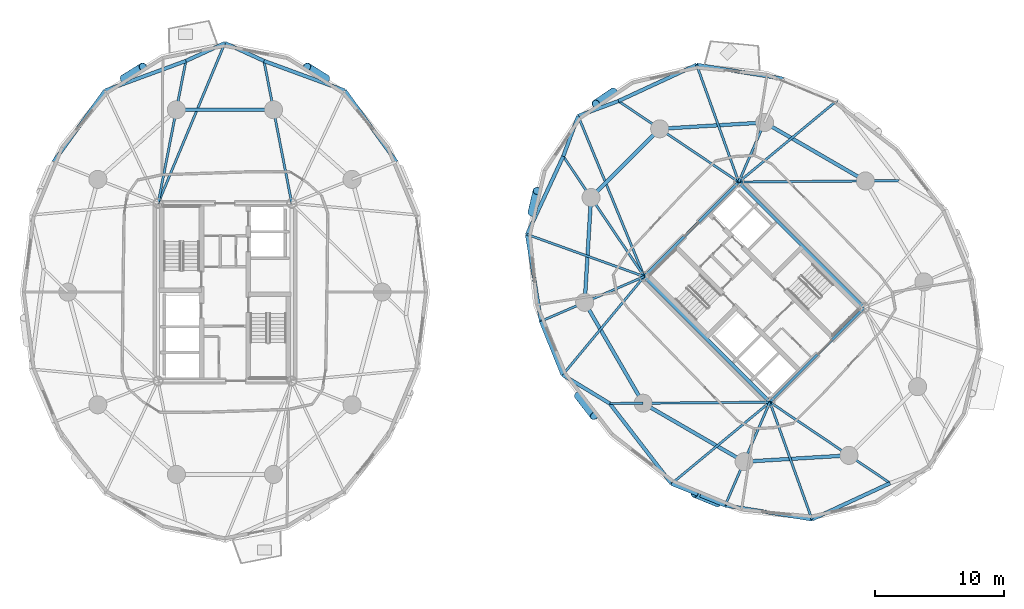
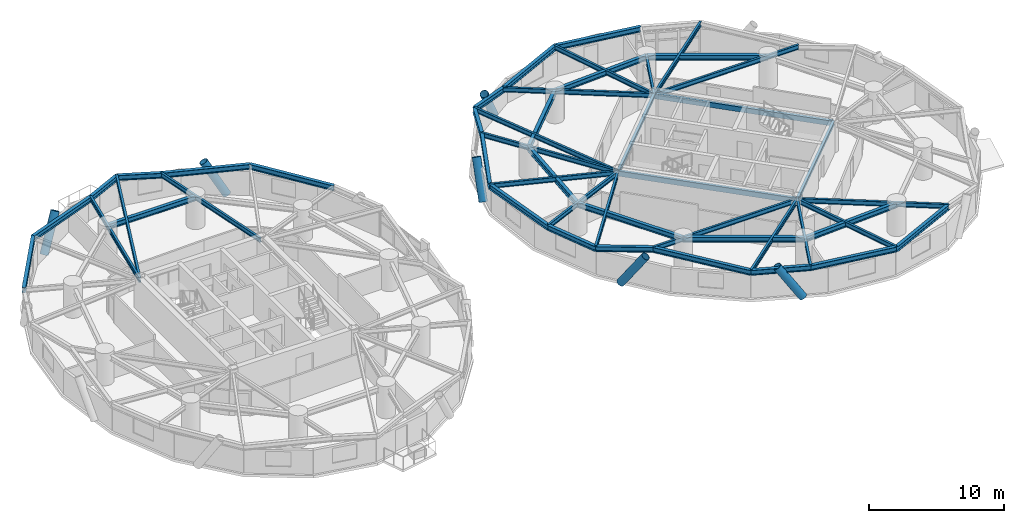
# One storey, part 5 of 17: 49 beams, 6 members.
"""IFC4 building model written with IfcOpenShell, lengths in metres."""

from ifc_helpers import new_model, si_unit, direction, frame, origin, origin_2d, place, context, subcontext, project, spatial, hollow_rectangle, hollow_circle, i_section, extrude, material, material_profile, profile_set, type_object, element, save


model = new_model("IFC4")

# Units and contexts
model_context = context("Model", 3, precision=1e-05, world=origin(), true_north=direction((0.0, 1.0)))
body_context = subcontext(model_context, "Body", "Model", "MODEL_VIEW")
ifc_project = project(units=[si_unit("LENGTHUNIT", "METRE"), si_unit("AREAUNIT", "SQUARE_METRE"), si_unit("VOLUMEUNIT", "CUBIC_METRE"), si_unit("PLANEANGLEUNIT", "RADIAN"), si_unit("MASSUNIT", "GRAM", prefix="KILO")], contexts=[model_context])

# Site, building, storey
site_placement = place(None, origin())
site = spatial("IfcSite", under=ifc_project, at=site_placement, CompositionType="ELEMENT")
building_placement = place(site_placement, origin())
building = spatial("IfcBuilding", under=site, at=building_placement, Name="Cununo Teusaquillo Station Towers", CompositionType="ELEMENT")
storey_placement = place(building_placement, frame((0.0, 0.0, 70.14990234375)))
storey = spatial("IfcBuildingStorey", under=building, at=storey_placement, Name="L21", CompositionType="ELEMENT", Elevation=70.14990234375)

# Beams
ifc_material_1 = material(Name="Steel EN 10025-2 S355J2", Category="steel")
ifc_material_profile_1 = material_profile(ifc_material_1, hollow_rectangle(XDim=0.25, YDim=0.449951171875, WallThickness=0.01611328125, at=origin_2d()), Name="RHS 450x250x16")
ifc_profile_set_1 = profile_set([ifc_material_profile_1], Name="Steel EN 10025-2 S355J2")
beam_type_1 = type_object("IfcBeamType", Name="BM-COUP-1", PredefinedType="USERDEFINED", material=ifc_profile_set_1)
for number, where, z_axis, x_axis, name in (
    (1, (58.70556640625, 15.975830078125, 2.445068359375), (-0.707106781187, 0.707106781187, 0.0), (-0.707106781187, -0.707106781187, 0.0), "L21 Tower B Core Beam 1"),
    (2, (66.024169921875, 23.29443359375, 2.445068359375), (-0.707106781187, 0.707106781187, 0.0), (-0.707106781187, -0.707106781187, 0.0), "L21 Tower B Core Beam 2"),
):
    element("IfcBeam", number, at=place(storey_placement, frame(where, z_axis=z_axis, x_axis=x_axis)), inside=storey, type_object=beam_type_1, Name=name, ObjectType="COUPLING BEAM", PredefinedType="USERDEFINED", context=body_context, shape_type="SweptSolid", body=[
        extrude(hollow_rectangle(XDim=0.25, YDim=0.449951171875, WallThickness=0.01611328125, at=origin_2d()), origin(), (0.0, 0.0, 1.0), 13.760009765625),
    ])
ifc_material_2 = material(Name="Steel ASTM A572 Grade 50", Category="steel")
ifc_material_profile_2 = material_profile(ifc_material_2, i_section(OverallWidth=0.180908203125, OverallDepth=0.4169921875, WebThickness=0.010986328125, FlangeThickness=0.018310546875, FilletRadius=0.012939453125, at=origin_2d()), Name="W16X57")
ifc_profile_set_2 = profile_set([ifc_material_profile_2], Name="Steel ASTM A572 Grade 50")
beam_type_2 = type_object("IfcBeamType", Name="BM-JOIST-1", PredefinedType="JOIST", material=ifc_profile_set_2)
beam_1_placement = place(storey_placement, frame((11.324951171875, 31.3798828125, 2.461669921875), z_axis=(0.38487837995, 0.922967297713, 0.0), x_axis=(-0.922967297713, 0.38487837995, 0.0)))
element("IfcBeam", 3, at=beam_1_placement, inside=storey, type_object=beam_type_2, Name="L21 Tower A Radial Spandrel Joist V05", PredefinedType="JOIST", context=body_context, shape_type="SweptSolid", body=[
    extrude(i_section(OverallWidth=0.180908203125, OverallDepth=0.4169921875, WebThickness=0.010986328125, FlangeThickness=0.018310546875, FilletRadius=0.012939453125, at=origin_2d()), origin(), (0.0, 0.0, 1.0), 13.446044921875),
])
beam_2_placement = place(storey_placement, frame((56.29443359375, 33.024169921875, 2.461669921875), z_axis=(0.769727799615, 0.638372238196, 0.0), x_axis=(-0.638372238196, 0.769727799615, 0.0)))
element("IfcBeam", 4, at=beam_2_placement, inside=storey, type_object=beam_type_2, Name="L21 Tower B Radial Spandrel Joist V01", PredefinedType="JOIST", context=body_context, shape_type="SweptSolid", body=[
    extrude(i_section(OverallWidth=0.180908203125, OverallDepth=0.4169921875, WebThickness=0.010986328125, FlangeThickness=0.018310546875, FilletRadius=0.012939453125, at=origin_2d()), origin(), (0.0, 0.0, 1.0), 9.895263671875),
])
beam_3_placement = place(storey_placement, frame((56.29443359375, 33.024169921875, 2.461669921875), z_axis=(-0.338176312038, 0.941082771055, 0.0), x_axis=(-0.941082771055, -0.338176312038, 0.0)))
element("IfcBeam", 5, at=beam_3_placement, inside=storey, type_object=beam_type_2, Name="L21 Tower B Radial Spandrel Joist V03", PredefinedType="JOIST", context=body_context, shape_type="SweptSolid", body=[
    extrude(i_section(OverallWidth=0.180908203125, OverallDepth=0.4169921875, WebThickness=0.010986328125, FlangeThickness=0.018310546875, FilletRadius=0.012939453125, at=origin_2d()), origin(), (0.0, 0.0, 1.0), 9.646484375),
])
beam_4_placement = place(storey_placement, frame((48.975830078125, 25.70556640625, 2.461669921875), z_axis=(-0.380485864505, 0.924786735908, 0.0), x_axis=(-0.924786735908, -0.380485864505, 0.0)))
element("IfcBeam", 6, at=beam_4_placement, inside=storey, type_object=beam_type_2, Name="L21 Tower B Radial Spandrel Joist V05", PredefinedType="JOIST", context=body_context, shape_type="SweptSolid", body=[
    extrude(i_section(OverallWidth=0.180908203125, OverallDepth=0.4169921875, WebThickness=0.010986328125, FlangeThickness=0.018310546875, FilletRadius=0.012939453125, at=origin_2d()), origin(), (0.0, 0.0, 1.0), 13.44580078125),
])
beam_5_placement = place(storey_placement, frame((48.975830078125, 25.70556640625, 2.461669921875), z_axis=(-0.941082771055, 0.338176312038, 0.0), x_axis=(-0.338176312038, -0.941082771055, 0.0)))
element("IfcBeam", 7, at=beam_5_placement, inside=storey, type_object=beam_type_2, Name="L21 Tower B Radial Spandrel Joist V07", PredefinedType="JOIST", context=body_context, shape_type="SweptSolid", body=[
    extrude(i_section(OverallWidth=0.180908203125, OverallDepth=0.4169921875, WebThickness=0.010986328125, FlangeThickness=0.018310546875, FilletRadius=0.012939453125, at=origin_2d()), origin(), (0.0, 0.0, 1.0), 9.646484375),
])
for number, where, z_axis, x_axis, name in (
    (8, (48.975830078125, 25.70556640625, 2.461669921875), (-0.638372238196, -0.769727799615, 0.0), (0.769727799615, -0.638372238196, 0.0), "L21 Tower B Radial Spandrel Joist V09"),
    (9, (58.70556640625, 15.975830078125, 2.461669921875), (-0.769727799615, -0.638372238196, 0.0), (0.638372238196, -0.769727799615, 0.0), "L21 Tower B Radial Spandrel Joist V11"),
):
    element("IfcBeam", number, at=place(storey_placement, frame(where, z_axis=z_axis, x_axis=x_axis)), inside=storey, type_object=beam_type_2, Name=name, PredefinedType="JOIST", context=body_context, shape_type="SweptSolid", body=[
        extrude(i_section(OverallWidth=0.180908203125, OverallDepth=0.4169921875, WebThickness=0.010986328125, FlangeThickness=0.018310546875, FilletRadius=0.012939453125, at=origin_2d()), origin(), (0.0, 0.0, 1.0), 9.895263671875),
    ])
beam_6_placement = place(storey_placement, frame((58.70556640625, 15.975830078125, 2.461669921875), z_axis=(0.338176312038, -0.941082771055, 0.0), x_axis=(0.941082771055, 0.338176312038, 0.0)))
element("IfcBeam", 10, at=beam_6_placement, inside=storey, type_object=beam_type_2, Name="L21 Tower B Radial Spandrel Joist V13", PredefinedType="JOIST", context=body_context, shape_type="SweptSolid", body=[
    extrude(i_section(OverallWidth=0.180908203125, OverallDepth=0.4169921875, WebThickness=0.010986328125, FlangeThickness=0.018310546875, FilletRadius=0.012939453125, at=origin_2d()), origin(), (0.0, 0.0, 1.0), 9.646484375),
])
ifc_material_3 = material(Name="Steel ASTM A572 Grade 50", Category="steel")
ifc_material_profile_3 = material_profile(ifc_material_3, i_section(OverallWidth=0.2041015625, OverallDepth=0.35009765625, WebThickness=0.008544921875, FlangeThickness=0.01513671875, FilletRadius=0.011962890625, at=origin_2d()), Name="W14X48")
ifc_profile_set_3 = profile_set([ifc_material_profile_3], Name="Steel ASTM A572 Grade 50")
beam_type_3 = type_object("IfcBeamType", Name="BM-LINTEL-1", PredefinedType="LINTEL", material=ifc_profile_set_3)
for number, where, z_axis, x_axis, name in (
    (11, (58.70556640625, 15.975830078125, 2.4951171875), (0.707106781187, 0.707106781187, 0.0), (-0.707106781187, 0.707106781187, 0.0), "L21 Tower B Core Beam 3"),
    (12, (48.975830078125, 25.70556640625, 2.4951171875), (0.707106781187, 0.707106781187, 0.0), (-0.707106781187, 0.707106781187, 0.0), "L21 Tower B Core Beam 4"),
):
    element("IfcBeam", number, at=place(storey_placement, frame(where, z_axis=z_axis, x_axis=x_axis)), inside=storey, type_object=beam_type_3, Name=name, PredefinedType="LINTEL", context=body_context, shape_type="SweptSolid", body=[
        extrude(i_section(OverallWidth=0.2041015625, OverallDepth=0.35009765625, WebThickness=0.008544921875, FlangeThickness=0.01513671875, FilletRadius=0.011962890625, at=origin_2d()), origin(), (0.0, 0.0, 1.0), 10.35009765625),
    ])
ifc_material_4 = material(Name="Steel ASTM A572 Grade 50", Category="steel")
ifc_material_profile_4 = material_profile(ifc_material_4, i_section(OverallWidth=0.180908203125, OverallDepth=0.4169921875, WebThickness=0.010986328125, FlangeThickness=0.018310546875, FilletRadius=0.012939453125, at=origin_2d()), Name="W16X57")
ifc_profile_set_4 = profile_set([ifc_material_profile_4], Name="Steel ASTM A572 Grade 50")
beam_type_4 = type_object("IfcBeamType", Name="BM-RAD-G2", PredefinedType="BEAM", material=ifc_profile_set_4)
for number, where, z_axis, x_axis, name in (
    (13, (21.675048828125, 31.3798828125, 2.461669921875), (-0.191552755713, 0.981482318628, 0.0), (-0.981482318628, -0.191552755713, 0.0), "L21 Tower A Continuous Overhanging Radial Girder 03"),
    (14, (11.324951171875, 31.3798828125, 2.461669921875), (0.191552755713, 0.981482318628, 0.0), (-0.981482318628, 0.191552755713, 0.0), "L21 Tower A Continuous Overhanging Radial Girder 04"),
):
    element("IfcBeam", number, at=place(storey_placement, frame(where, z_axis=z_axis, x_axis=x_axis)), inside=storey, type_object=beam_type_4, Name=name, PredefinedType="BEAM", context=body_context, shape_type="SweptSolid", body=[
        extrude(i_section(OverallWidth=0.180908203125, OverallDepth=0.4169921875, WebThickness=0.010986328125, FlangeThickness=0.018310546875, FilletRadius=0.012939453125, at=origin_2d()), origin(), (0.0, 0.0, 1.0), 11.22998046875),
    ])
beam_7_placement = place(storey_placement, frame((56.29443359375, 33.024169921875, 2.461669921875), z_axis=(0.999964331255, 0.008446077024, 0.0), x_axis=(-0.008446077024, 0.999964331255, 0.0)))
element("IfcBeam", 15, at=beam_7_placement, inside=storey, type_object=beam_type_4, Name="L21 Tower B Continuous Overhanging Radial Girder 01", PredefinedType="BEAM", context=body_context, shape_type="SweptSolid", body=[
    extrude(i_section(OverallWidth=0.180908203125, OverallDepth=0.4169921875, WebThickness=0.010986328125, FlangeThickness=0.018310546875, FilletRadius=0.012939453125, at=origin_2d()), origin(), (0.0, 0.0, 1.0), 12.400634765625),
])
beam_8_placement = place(storey_placement, frame((56.29443359375, 33.024169921875, 2.461669921875), z_axis=(0.397346986387, 0.917668443616, 0.0), x_axis=(-0.917668443616, 0.397346986387, 0.0)))
element("IfcBeam", 16, at=beam_8_placement, inside=storey, type_object=beam_type_4, Name="L21 Tower B Radial Girder 02A", PredefinedType="BEAM", context=body_context, shape_type="SweptSolid", body=[
    extrude(i_section(OverallWidth=0.180908203125, OverallDepth=0.4169921875, WebThickness=0.010986328125, FlangeThickness=0.018310546875, FilletRadius=0.012939453125, at=origin_2d()), origin(), (0.0, 0.0, 1.0), 5.02490234375),
])
for number, where, z_axis, x_axis, name in (
    (17, (56.29443359375, 33.024169921875, 2.461669921875), (-0.82945583878, 0.558572297481, 0.0), (-0.558572297481, -0.82945583878, 0.0), "L21 Tower B Continuous Overhanging Radial Girder 03"),
    (18, (48.975830078125, 25.70556640625, 2.461669921875), (-0.558572297481, 0.82945583878, 0.0), (-0.82945583878, -0.558572297481, 0.0), "L21 Tower B Continuous Overhanging Radial Girder 04"),
):
    element("IfcBeam", number, at=place(storey_placement, frame(where, z_axis=z_axis, x_axis=x_axis)), inside=storey, type_object=beam_type_4, Name=name, PredefinedType="BEAM", context=body_context, shape_type="SweptSolid", body=[
        extrude(i_section(OverallWidth=0.180908203125, OverallDepth=0.4169921875, WebThickness=0.010986328125, FlangeThickness=0.018310546875, FilletRadius=0.012939453125, at=origin_2d()), origin(), (0.0, 0.0, 1.0), 11.22998046875),
    ])
beam_9_placement = place(storey_placement, frame((48.975830078125, 25.70556640625, 2.461669921875), z_axis=(-0.917654733344, -0.397378648609, 0.0), x_axis=(0.397378648609, -0.917654733344, 0.0)))
element("IfcBeam", 19, at=beam_9_placement, inside=storey, type_object=beam_type_4, Name="L21 Tower B Continuous Overhanging Radial Girder 05", PredefinedType="BEAM", context=body_context, shape_type="SweptSolid", body=[
    extrude(i_section(OverallWidth=0.180908203125, OverallDepth=0.4169921875, WebThickness=0.010986328125, FlangeThickness=0.018310546875, FilletRadius=0.012939453125, at=origin_2d()), origin(), (0.0, 0.0, 1.0), 8.71484375),
])
beam_10_placement = place(storey_placement, frame((58.70556640625, 15.975830078125, 2.461669921875), z_axis=(-0.999964431382, -0.008434214327, 0.0), x_axis=(0.008434214327, -0.999964431382, 0.0)))
element("IfcBeam", 20, at=beam_10_placement, inside=storey, type_object=beam_type_4, Name="L21 Tower B Radial Girder 06A", PredefinedType="BEAM", context=body_context, shape_type="SweptSolid", body=[
    extrude(i_section(OverallWidth=0.180908203125, OverallDepth=0.4169921875, WebThickness=0.010986328125, FlangeThickness=0.018310546875, FilletRadius=0.012939453125, at=origin_2d()), origin(), (0.0, 0.0, 1.0), 9.812744140625),
])
beam_11_placement = place(storey_placement, frame((48.89306640625, 15.89306640625, 2.461669921875), z_axis=(-0.999963950292, -0.008491060999, 0.0), x_axis=(0.008491060999, -0.999963950292, 0.0)))
element("IfcBeam", 21, at=beam_11_placement, inside=storey, type_object=beam_type_4, Name="L21 Tower B Perimeter Overhang Girder 06B", PredefinedType="BEAM", context=body_context, shape_type="SweptSolid", body=[
    extrude(i_section(OverallWidth=0.180908203125, OverallDepth=0.4169921875, WebThickness=0.010986328125, FlangeThickness=0.018310546875, FilletRadius=0.012939453125, at=origin_2d()), origin(), (0.0, 0.0, 1.0), 2.587646484375),
])
beam_12_placement = place(storey_placement, frame((58.70556640625, 15.975830078125, 2.461669921875), z_axis=(-0.397378648609, -0.917654733344, 0.0), x_axis=(0.917654733344, -0.397378648609, 0.0)))
element("IfcBeam", 22, at=beam_12_placement, inside=storey, type_object=beam_type_4, Name="L21 Tower B Continuous Overhanging Radial Girder 07", PredefinedType="BEAM", context=body_context, shape_type="SweptSolid", body=[
    extrude(i_section(OverallWidth=0.180908203125, OverallDepth=0.4169921875, WebThickness=0.010986328125, FlangeThickness=0.018310546875, FilletRadius=0.012939453125, at=origin_2d()), origin(), (0.0, 0.0, 1.0), 8.71484375),
])
beam_13_placement = place(storey_placement, frame((58.70556640625, 15.975830078125, 2.461669921875), z_axis=(0.82945583878, -0.558572297481, 0.0), x_axis=(0.558572297481, 0.82945583878, 0.0)))
element("IfcBeam", 23, at=beam_13_placement, inside=storey, type_object=beam_type_4, Name="L21 Tower B Continuous Overhanging Radial Girder 08", PredefinedType="BEAM", context=body_context, shape_type="SweptSolid", body=[
    extrude(i_section(OverallWidth=0.180908203125, OverallDepth=0.4169921875, WebThickness=0.010986328125, FlangeThickness=0.018310546875, FilletRadius=0.012939453125, at=origin_2d()), origin(), (0.0, 0.0, 1.0), 11.22998046875),
])
ifc_material_5 = material(Name="Steel ASTM A572 Grade 50", Category="steel")
ifc_material_profile_5 = material_profile(ifc_material_5, i_section(OverallWidth=0.280029296875, OverallDepth=0.462890625, WebThickness=0.0107421875, FlangeThickness=0.017333984375, FilletRadius=0.013916015625, at=origin_2d()), Name="W18X76")
ifc_profile_set_5 = profile_set([ifc_material_profile_5], Name="Steel ASTM A572 Grade 50")
beam_type_5 = type_object("IfcBeamType", Name="BM-RING-Z2", PredefinedType="SPANDREL", material=ifc_profile_set_5)
beam_14_placement = place(storey_placement, frame((20.261474609375, 38.623291015625, 2.4384765625), z_axis=(-1.0, 0.0, 0.0), x_axis=(0.0, -1.0, 0.0)))
element("IfcBeam", 24, at=beam_14_placement, inside=storey, type_object=beam_type_5, Name="L21 Tower A Structural Column Ring Girder 03", PredefinedType="SPANDREL", context=body_context, shape_type="SweptSolid", body=[
    extrude(i_section(OverallWidth=0.280029296875, OverallDepth=0.462890625, WebThickness=0.0107421875, FlangeThickness=0.017333984375, FilletRadius=0.013916015625, at=origin_2d()), origin(), (0.0, 0.0, 1.0), 7.52294921875),
])
beam_15_placement = place(storey_placement, frame((29.77880859375, 34.586181640625, 2.4384765625), z_axis=(-0.58594455724, 0.810351143543, 0.0), x_axis=(-0.810351143543, -0.58594455724, 0.0)))
element("IfcBeam", 25, at=beam_15_placement, inside=storey, type_object=beam_type_5, Name="L21 Tower A Spandrel Ring Beam 03", PredefinedType="SPANDREL", context=body_context, shape_type="SweptSolid", body=[
    extrude(i_section(OverallWidth=0.280029296875, OverallDepth=0.462890625, WebThickness=0.0107421875, FlangeThickness=0.017333984375, FilletRadius=0.013916015625, at=origin_2d()), origin(), (0.0, 0.0, 1.0), 6.8115234375),
])
beam_16_placement = place(storey_placement, frame((25.78759765625, 40.10595703125, 2.4384765625), z_axis=(-0.938914161016, 0.34415141761, 0.0), x_axis=(-0.34415141761, -0.938914161016, 0.0)))
element("IfcBeam", 26, at=beam_16_placement, inside=storey, type_object=beam_type_5, Name="L21 Tower A Spandrel Ring Beam 04", PredefinedType="SPANDREL", context=body_context, shape_type="SweptSolid", body=[
    extrude(i_section(OverallWidth=0.280029296875, OverallDepth=0.462890625, WebThickness=0.0107421875, FlangeThickness=0.017333984375, FilletRadius=0.013916015625, at=origin_2d()), origin(), (0.0, 0.0, 1.0), 6.671142578125),
])
for number, where, z_axis, x_axis, name in (
    (27, (19.52392578125, 42.40185546875, 2.4384765625), (-0.908812215281, 0.417205413862, 0.0), (-0.417205413862, -0.908812215281, 0.0), "L21 Tower A Spandrel Ring Beam 05"),
    (28, (16.5, 43.7900390625, 2.4384765625), (-0.908812215281, -0.417205413862, 0.0), (0.417205413862, -0.908812215281, 0.0), "L21 Tower A Spandrel Ring Beam 06"),
):
    element("IfcBeam", number, at=place(storey_placement, frame(where, z_axis=z_axis, x_axis=x_axis)), inside=storey, type_object=beam_type_5, Name=name, PredefinedType="SPANDREL", context=body_context, shape_type="SweptSolid", body=[
        extrude(i_section(OverallWidth=0.280029296875, OverallDepth=0.462890625, WebThickness=0.0107421875, FlangeThickness=0.017333984375, FilletRadius=0.013916015625, at=origin_2d()), origin(), (0.0, 0.0, 1.0), 3.327392578125),
    ])
beam_17_placement = place(storey_placement, frame((13.47607421875, 42.40185546875, 2.4384765625), z_axis=(-0.938914161016, -0.34415141761, 0.0), x_axis=(0.34415141761, -0.938914161016, 0.0)))
element("IfcBeam", 29, at=beam_17_placement, inside=storey, type_object=beam_type_5, Name="L21 Tower A Spandrel Ring Beam 07", PredefinedType="SPANDREL", context=body_context, shape_type="SweptSolid", body=[
    extrude(i_section(OverallWidth=0.280029296875, OverallDepth=0.462890625, WebThickness=0.0107421875, FlangeThickness=0.017333984375, FilletRadius=0.013916015625, at=origin_2d()), origin(), (0.0, 0.0, 1.0), 6.671142578125),
])
beam_18_placement = place(storey_placement, frame((7.21240234375, 40.10595703125, 2.4384765625), z_axis=(-0.58594455724, -0.810351143543, 0.0), x_axis=(0.810351143543, -0.58594455724, 0.0)))
element("IfcBeam", 30, at=beam_18_placement, inside=storey, type_object=beam_type_5, Name="L21 Tower A Spandrel Ring Beam 08", PredefinedType="SPANDREL", context=body_context, shape_type="SweptSolid", body=[
    extrude(i_section(OverallWidth=0.280029296875, OverallDepth=0.462890625, WebThickness=0.0107421875, FlangeThickness=0.017333984375, FilletRadius=0.013916015625, at=origin_2d()), origin(), (0.0, 0.0, 1.0), 6.8115234375),
])
beam_19_placement = place(storey_placement, frame((66.10693359375, 33.10693359375, 2.4384765625), z_axis=(-0.865267103202, 0.501311121078, 0.0), x_axis=(-0.501311121078, -0.865267103202, 0.0)))
element("IfcBeam", 31, at=beam_19_placement, inside=storey, type_object=beam_type_5, Name="L21 Tower B Structural Column Ring Girder 01", PredefinedType="SPANDREL", context=body_context, shape_type="SweptSolid", body=[
    extrude(i_section(OverallWidth=0.280029296875, OverallDepth=0.462890625, WebThickness=0.0107421875, FlangeThickness=0.017333984375, FilletRadius=0.013916015625, at=origin_2d()), origin(), (0.0, 0.0, 1.0), 9.032958984375),
])
beam_20_placement = place(storey_placement, frame((58.291015625, 37.63525390625, 2.4384765625), z_axis=(-0.998190567048, -0.06012979176, 0.0), x_axis=(0.06012979176, -0.998190567048, 0.0)))
element("IfcBeam", 32, at=beam_20_placement, inside=storey, type_object=beam_type_5, Name="L21 Tower B Structural Column Ring Girder 02", PredefinedType="SPANDREL", context=body_context, shape_type="SweptSolid", body=[
    extrude(i_section(OverallWidth=0.280029296875, OverallDepth=0.462890625, WebThickness=0.0107421875, FlangeThickness=0.017333984375, FilletRadius=0.013916015625, at=origin_2d()), origin(), (0.0, 0.0, 1.0), 8.132568359375),
])
beam_21_placement = place(storey_placement, frame((50.173095703125, 37.146240234375, 2.4384765625), z_axis=(-0.707106781187, -0.707106781187, 0.0), x_axis=(0.707106781187, -0.707106781187, 0.0)))
element("IfcBeam", 33, at=beam_21_placement, inside=storey, type_object=beam_type_5, Name="L21 Tower B Structural Column Ring Girder 03", PredefinedType="SPANDREL", context=body_context, shape_type="SweptSolid", body=[
    extrude(i_section(OverallWidth=0.280029296875, OverallDepth=0.462890625, WebThickness=0.0107421875, FlangeThickness=0.017333984375, FilletRadius=0.013916015625, at=origin_2d()), origin(), (0.0, 0.0, 1.0), 7.522705078125),
])
beam_22_placement = place(storey_placement, frame((44.853759765625, 31.826904296875, 2.4384765625), z_axis=(-0.06012979176, -0.998190567048, 0.0), x_axis=(0.998190567048, -0.06012979176, 0.0)))
element("IfcBeam", 34, at=beam_22_placement, inside=storey, type_object=beam_type_5, Name="L21 Tower B Structural Column Ring Girder 04", PredefinedType="SPANDREL", context=body_context, shape_type="SweptSolid", body=[
    extrude(i_section(OverallWidth=0.280029296875, OverallDepth=0.462890625, WebThickness=0.0107421875, FlangeThickness=0.017333984375, FilletRadius=0.013916015625, at=origin_2d()), origin(), (0.0, 0.0, 1.0), 8.132568359375),
])
for number, where, z_axis, x_axis, name in (
    (35, (44.36474609375, 23.708984375, 2.4384765625), (0.501311121078, -0.865267103202, 0.0), (0.865267103202, 0.501311121078, 0.0), "L21 Tower B Structural Column Ring Girder 05"),
    (36, (48.89306640625, 15.89306640625, 2.4384765625), (0.865267103202, -0.501311121078, 0.0), (0.501311121078, 0.865267103202, 0.0), "L21 Tower B Structural Column Ring Girder 06"),
):
    element("IfcBeam", number, at=place(storey_placement, frame(where, z_axis=z_axis, x_axis=x_axis)), inside=storey, type_object=beam_type_5, Name=name, PredefinedType="SPANDREL", context=body_context, shape_type="SweptSolid", body=[
        extrude(i_section(OverallWidth=0.280029296875, OverallDepth=0.462890625, WebThickness=0.0107421875, FlangeThickness=0.017333984375, FilletRadius=0.013916015625, at=origin_2d()), origin(), (0.0, 0.0, 1.0), 9.032958984375),
    ])
beam_23_placement = place(storey_placement, frame((56.708984375, 11.36474609375, 2.4384765625), z_axis=(0.998190567048, 0.06012979176, 0.0), x_axis=(-0.06012979176, 0.998190567048, 0.0)))
element("IfcBeam", 37, at=beam_23_placement, inside=storey, type_object=beam_type_5, Name="L21 Tower B Structural Column Ring Girder 07", PredefinedType="SPANDREL", context=body_context, shape_type="SweptSolid", body=[
    extrude(i_section(OverallWidth=0.280029296875, OverallDepth=0.462890625, WebThickness=0.0107421875, FlangeThickness=0.017333984375, FilletRadius=0.013916015625, at=origin_2d()), origin(), (0.0, 0.0, 1.0), 8.132568359375),
])
beam_24_placement = place(storey_placement, frame((59.757568359375, 41.021484375, 2.4384765625), z_axis=(-0.987331474246, 0.158671232312, 0.0), x_axis=(-0.158671232312, -0.987331474246, 0.0)))
element("IfcBeam", 38, at=beam_24_placement, inside=storey, type_object=beam_type_5, Name="L21 Tower B Spandrel Ring Beam 03", PredefinedType="SPANDREL", context=body_context, shape_type="SweptSolid", body=[
    extrude(i_section(OverallWidth=0.280029296875, OverallDepth=0.462890625, WebThickness=0.0107421875, FlangeThickness=0.017333984375, FilletRadius=0.013916015625, at=origin_2d()), origin(), (0.0, 0.0, 1.0), 6.8115234375),
])
beam_25_placement = place(storey_placement, frame((53.0322265625, 42.102294921875, 2.4384765625), z_axis=(-0.907275870354, -0.420535961689, 0.0), x_axis=(0.420535961689, -0.907275870354, 0.0)))
element("IfcBeam", 39, at=beam_25_placement, inside=storey, type_object=beam_type_5, Name="L21 Tower B Spandrel Ring Beam 04", PredefinedType="SPANDREL", context=body_context, shape_type="SweptSolid", body=[
    extrude(i_section(OverallWidth=0.280029296875, OverallDepth=0.462890625, WebThickness=0.0107421875, FlangeThickness=0.017333984375, FilletRadius=0.013916015625, at=origin_2d()), origin(), (0.0, 0.0, 1.0), 6.671142578125),
])
for number, where, z_axis, x_axis, name in (
    (40, (46.979736328125, 39.296875, 2.4384765625), (-0.937628334414, -0.347639333943, 0.0), (0.347639333943, -0.937628334414, 0.0), "L21 Tower B Spandrel Ring Beam 05"),
    (41, (43.85986328125, 38.14013671875, 2.4384765625), (-0.347639333943, -0.937628334414, 0.0), (0.937628334414, -0.347639333943, 0.0), "L21 Tower B Spandrel Ring Beam 06"),
):
    element("IfcBeam", number, at=place(storey_placement, frame(where, z_axis=z_axis, x_axis=x_axis)), inside=storey, type_object=beam_type_5, Name=name, PredefinedType="SPANDREL", context=body_context, shape_type="SweptSolid", body=[
        extrude(i_section(OverallWidth=0.280029296875, OverallDepth=0.462890625, WebThickness=0.0107421875, FlangeThickness=0.017333984375, FilletRadius=0.013916015625, at=origin_2d()), origin(), (0.0, 0.0, 1.0), 3.327392578125),
    ])
beam_26_placement = place(storey_placement, frame((42.703125, 35.020263671875, 2.4384765625), z_axis=(-0.420535961689, -0.907275870354, 0.0), x_axis=(0.907275870354, -0.420535961689, 0.0)))
element("IfcBeam", 42, at=beam_26_placement, inside=storey, type_object=beam_type_5, Name="L21 Tower B Spandrel Ring Beam 07", PredefinedType="SPANDREL", context=body_context, shape_type="SweptSolid", body=[
    extrude(i_section(OverallWidth=0.280029296875, OverallDepth=0.462890625, WebThickness=0.0107421875, FlangeThickness=0.017333984375, FilletRadius=0.013916015625, at=origin_2d()), origin(), (0.0, 0.0, 1.0), 6.671142578125),
])
beam_27_placement = place(storey_placement, frame((39.897705078125, 28.9677734375, 2.4384765625), z_axis=(0.158671232312, -0.987331474246, 0.0), x_axis=(0.987331474246, 0.158671232312, 0.0)))
element("IfcBeam", 43, at=beam_27_placement, inside=storey, type_object=beam_type_5, Name="L21 Tower B Spandrel Ring Beam 08", PredefinedType="SPANDREL", context=body_context, shape_type="SweptSolid", body=[
    extrude(i_section(OverallWidth=0.280029296875, OverallDepth=0.462890625, WebThickness=0.0107421875, FlangeThickness=0.017333984375, FilletRadius=0.013916015625, at=origin_2d()), origin(), (0.0, 0.0, 1.0), 6.8115234375),
])
beam_28_placement = place(storey_placement, frame((40.978515625, 22.242431640625, 2.4384765625), z_axis=(0.375042266631, -0.927007712072, 0.0), x_axis=(0.927007712072, 0.375042266631, 0.0)))
element("IfcBeam", 44, at=beam_28_placement, inside=storey, type_object=beam_type_5, Name="L21 Tower B Spandrel Ring Beam 09", PredefinedType="SPANDREL", context=body_context, shape_type="SweptSolid", body=[
    extrude(i_section(OverallWidth=0.280029296875, OverallDepth=0.462890625, WebThickness=0.0107421875, FlangeThickness=0.017333984375, FilletRadius=0.013916015625, at=origin_2d()), origin(), (0.0, 0.0, 1.0), 4.480712890625),
])
beam_29_placement = place(storey_placement, frame((42.658935546875, 18.0888671875, 2.4384765625), z_axis=(0.854388492444, -0.519634779416, 0.0), x_axis=(0.519634779416, 0.854388492444, 0.0)))
element("IfcBeam", 45, at=beam_29_placement, inside=storey, type_object=beam_type_5, Name="L21 Tower B Spandrel Ring Beam 10", PredefinedType="SPANDREL", context=body_context, shape_type="SweptSolid", body=[
    extrude(i_section(OverallWidth=0.280029296875, OverallDepth=0.462890625, WebThickness=0.0107421875, FlangeThickness=0.017333984375, FilletRadius=0.013916015625, at=origin_2d()), origin(), (0.0, 0.0, 1.0), 4.26806640625),
])
beam_30_placement = place(storey_placement, frame((46.305419921875, 15.87109375, 2.4384765625), z_axis=(0.610100441726, -0.792324082056, 0.0), x_axis=(0.792324082056, 0.610100441726, 0.0)))
element("IfcBeam", 46, at=beam_30_placement, inside=storey, type_object=beam_type_5, Name="L21 Tower B Spandrel Ring Beam 11", PredefinedType="SPANDREL", context=body_context, shape_type="SweptSolid", body=[
    extrude(i_section(OverallWidth=0.280029296875, OverallDepth=0.462890625, WebThickness=0.0107421875, FlangeThickness=0.017333984375, FilletRadius=0.013916015625, at=origin_2d()), origin(), (0.0, 0.0, 1.0), 7.84033203125),
])
beam_31_placement = place(storey_placement, frame((51.0888671875, 9.658935546875, 2.4384765625), z_axis=(0.927007712072, -0.375042266631, 0.0), x_axis=(0.375042266631, 0.927007712072, 0.0)))
element("IfcBeam", 47, at=beam_31_placement, inside=storey, type_object=beam_type_5, Name="L21 Tower B Spandrel Ring Beam 12", PredefinedType="SPANDREL", context=body_context, shape_type="SweptSolid", body=[
    extrude(i_section(OverallWidth=0.280029296875, OverallDepth=0.462890625, WebThickness=0.0107421875, FlangeThickness=0.017333984375, FilletRadius=0.013916015625, at=origin_2d()), origin(), (0.0, 0.0, 1.0), 4.480712890625),
])
beam_32_placement = place(storey_placement, frame((55.242431640625, 7.978515625, 2.4384765625), z_axis=(0.987331474246, -0.158671232312, 0.0), x_axis=(0.158671232312, 0.987331474246, 0.0)))
element("IfcBeam", 48, at=beam_32_placement, inside=storey, type_object=beam_type_5, Name="L21 Tower B Spandrel Ring Beam 13", PredefinedType="SPANDREL", context=body_context, shape_type="SweptSolid", body=[
    extrude(i_section(OverallWidth=0.280029296875, OverallDepth=0.462890625, WebThickness=0.0107421875, FlangeThickness=0.017333984375, FilletRadius=0.013916015625, at=origin_2d()), origin(), (0.0, 0.0, 1.0), 6.8115234375),
])
beam_33_placement = place(storey_placement, frame((61.9677734375, 6.897705078125, 2.4384765625), z_axis=(0.907275870354, 0.420535961689, 0.0), x_axis=(-0.420535961689, 0.907275870354, 0.0)))
element("IfcBeam", 49, at=beam_33_placement, inside=storey, type_object=beam_type_5, Name="L21 Tower B Spandrel Ring Beam 14", PredefinedType="SPANDREL", context=body_context, shape_type="SweptSolid", body=[
    extrude(i_section(OverallWidth=0.280029296875, OverallDepth=0.462890625, WebThickness=0.0107421875, FlangeThickness=0.017333984375, FilletRadius=0.013916015625, at=origin_2d()), origin(), (0.0, 0.0, 1.0), 6.671142578125),
])

# Members
ifc_material_6 = material(Name="Steel EN 10025-2 S355J2", Category="steel")
ifc_material_profile_6 = material_profile(ifc_material_6, hollow_circle(Radius=0.330078125, WallThickness=0.02490234375, at=origin_2d()), Name="CHS 660x25")
ifc_profile_set_6 = profile_set([ifc_material_profile_6], Name="Steel EN 10025-2 S355J2")
member_type = type_object("IfcMemberType", Name="MBR-DIAG-Z2", PredefinedType="BRACE", material=ifc_profile_set_6)
for number, where, z_axis, x_axis, name in (
    (50, (24.3193359375, 41.019287109375, -0.139892578125), (-0.433768032271, 0.269824776975, 0.859674289432), (-0.528195574716, -0.849122744278, 0.0), "L21 Tower A Folded-Zigzag Diagrid Tube C03"),
    (51, (8.6806640625, 41.019287109375, -0.139892578125), (0.433768032271, 0.269824776975, 0.859674289432), (-0.528195574716, 0.849122744278, 0.0), "L21 Tower A Folded-Zigzag Diagrid Tube C06"),
):
    element("IfcMember", number, at=place(storey_placement, frame(where, z_axis=z_axis, x_axis=x_axis)), inside=storey, type_object=member_type, Name=name, PredefinedType="BRACE", context=body_context, shape_type="SweptSolid", body=[
        extrude(hollow_circle(Radius=0.330078125, WallThickness=0.02490234375, at=origin_2d()), origin(), (0.0, 0.0, 1.0), 3.385009765625),
    ])
member_1_placement = place(storey_placement, frame((46.606689453125, 39.996826171875, -0.139892578125), z_axis=(-0.410072581881, -0.277172614456, 0.868916462835), x_axis=(0.559991322854, -0.828498472134, 0.0)))
element("IfcMember", 52, at=member_1_placement, inside=storey, type_object=member_type, Name="L21 Tower B Folded-Zigzag Diagrid Tube C04", PredefinedType="BRACE", context=body_context, shape_type="SweptSolid", body=[
    extrude(hollow_circle(Radius=0.330078125, WallThickness=0.02490234375, at=origin_2d()), origin(), (0.0, 0.0, 1.0), 3.348876953125),
])
member_2_placement = place(storey_placement, frame((40.2900390625, 30.651611328125, -0.139892578125), z_axis=(0.115906612964, 0.49752571016, 0.859670765352), x_axis=(-0.973920299704, 0.226890391653, 0.0)))
element("IfcMember", 53, at=member_2_placement, inside=storey, type_object=member_type, Name="L21 Tower B Folded-Zigzag Diagrid Tube C06", PredefinedType="BRACE", context=body_context, shape_type="SweptSolid", body=[
    extrude(hollow_circle(Radius=0.330078125, WallThickness=0.02490234375, at=origin_2d()), origin(), (0.0, 0.0, 1.0), 3.385009765625),
])
member_3_placement = place(storey_placement, frame((43.881591796875, 16.501708984375, -0.139892578125), z_axis=(0.34606419194, -0.449302990414, 0.823630012726), x_axis=(0.792243348803, 0.610205273886, 0.0)))
element("IfcMember", 54, at=member_3_placement, inside=storey, type_object=member_type, Name="L21 Tower B Folded-Zigzag Diagrid Tube C09", PredefinedType="BRACE", context=body_context, shape_type="SweptSolid", body=[
    extrude(hollow_circle(Radius=0.330078125, WallThickness=0.02490234375, at=origin_2d()), origin(), (0.0, 0.0, 1.0), 3.532958984375),
])
member_4_placement = place(storey_placement, frame((54.681884765625, 8.181884765625, -0.139892578125), z_axis=(-0.51346268498, 0.211093316399, 0.83174255807), x_axis=(-0.380237656053, -0.924888817599, 0.0)))
element("IfcMember", 55, at=member_4_placement, inside=storey, type_object=member_type, Name="L21 Tower B Folded-Zigzag Diagrid Tube C11", PredefinedType="BRACE", context=body_context, shape_type="SweptSolid", body=[
    extrude(hollow_circle(Radius=0.330078125, WallThickness=0.02490234375, at=origin_2d()), origin(), (0.0, 0.0, 1.0), 3.49853515625),
])

save(model, "model.ifc")
